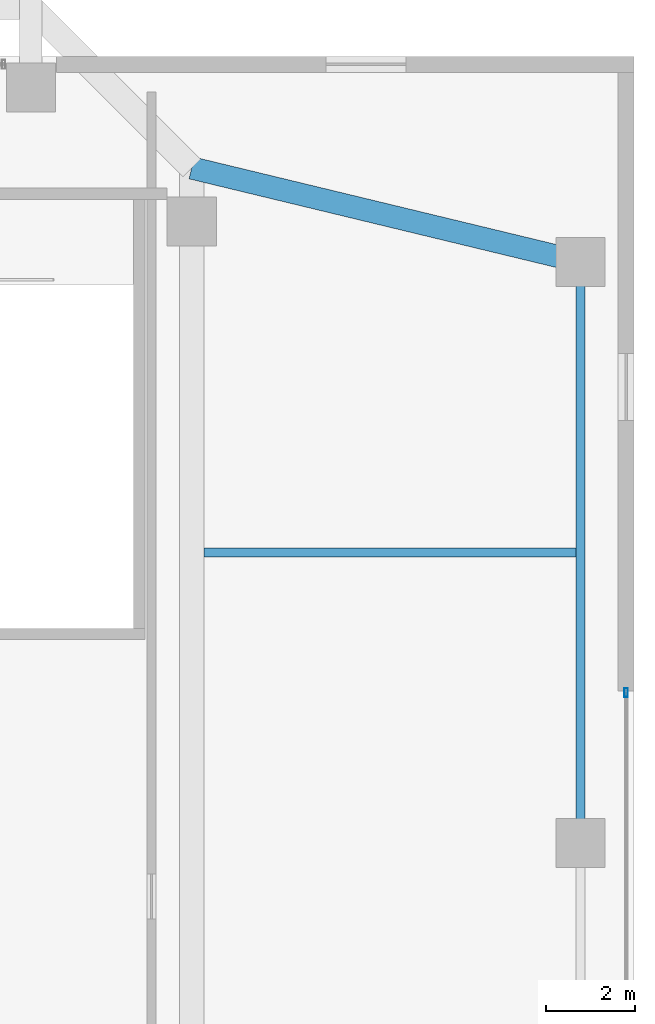
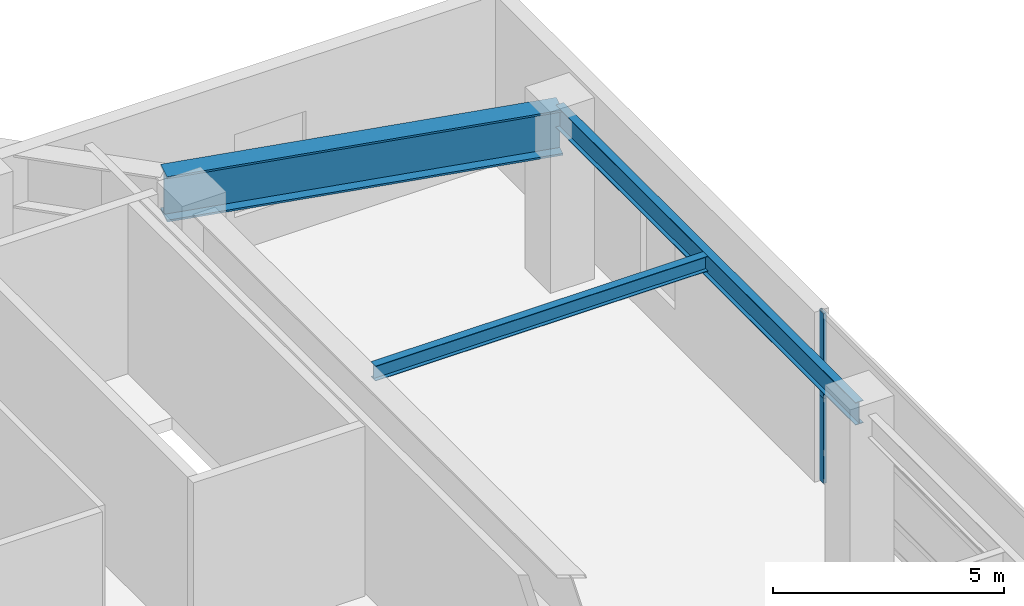
# One storey, part 27 of 34: 3 beams, 2 members, 1 element without a shape of its own.
"""IFC4 building model written with IfcOpenShell, lengths in metres."""

from ifc_helpers import new_model, si_unit, direction, frame, origin, origin_2d, place, context, subcontext, project, spatial, hollow_rectangle, i_section, extrude, source, transform, mapped, material, layer, layer_set, material_profile, profile_set, type_object, element, aggregate, save


model = new_model("IFC4")

# Units and contexts
model_context = context("Model", 3, precision=1e-05, world=origin(), true_north=direction((0.0, 1.0)))
body_context = subcontext(model_context, "Body", "Model", "MODEL_VIEW")
ifc_project = project(units=[si_unit("LENGTHUNIT", "METRE"), si_unit("AREAUNIT", "SQUARE_METRE"), si_unit("VOLUMEUNIT", "CUBIC_METRE"), si_unit("PLANEANGLEUNIT", "RADIAN"), si_unit("MASSUNIT", "GRAM", prefix="KILO"), si_unit("THERMODYNAMICTEMPERATUREUNIT", "KELVIN"), si_unit("POWERUNIT", "WATT")], contexts=[model_context])

# Site, building, storey
site_placement = place(None, origin())
site = spatial("IfcSite", under=ifc_project, at=site_placement, CompositionType="ELEMENT")
building_placement = place(site_placement, origin())
building = spatial("IfcBuilding", under=site, at=building_placement, Name="Yuzanri Waterfront Tower", CompositionType="ELEMENT")
storey_placement = place(building_placement, frame((0.0, 0.0, 25.800048828125)))
storey = spatial("IfcBuildingStorey", under=building, at=storey_placement, Name="L06", CompositionType="ELEMENT", Elevation=25.800048828125)

# Beams
ifc_material_1 = material(Name="Steel Q355B", Category="steel")
ifc_material_profile_1 = material_profile(ifc_material_1, i_section(OverallWidth=0.199951171875, OverallDepth=0.60009765625, WebThickness=0.010986328125, FlangeThickness=0.01708984375, at=origin_2d()), Name="HN 600x200x11x17")
ifc_profile_set_1 = profile_set([ifc_material_profile_1], Name="Steel Q355B")
beam_type_1 = type_object("IfcBeamType", Name="Perimeter Spandrel Q355B HN 600x200", PredefinedType="SPANDREL", material=ifc_profile_set_1)
shared_shape_1 = source(origin(), body_context, "Body", "SweptSolid", [
    extrude(i_section(OverallWidth=0.199951171875, OverallDepth=0.60009765625, WebThickness=0.010986328125, FlangeThickness=0.01708984375, at=origin_2d()), origin(), (0.0, 0.0, 1.0), 13.0),
])
beam_1_placement = place(storey_placement, frame((70.800048828125, 32.199951171875, 4.199951171875), z_axis=(0.0, 1.0, 0.0), x_axis=(-1.0, 0.0, 0.0)))
element("IfcBeam", 1, at=beam_1_placement, inside=storey, type_object=beam_type_1, Name="L06 East Podium Spandrel 3", PredefinedType="SPANDREL", context=body_context, shape_type="MappedRepresentation", body=[
    mapped(shared_shape_1, transform((0.0, 0.0, 0.0), scale=1.0)),
])
ifc_material_2 = material(Name="Steel Q420GJC", Category="steel")
ifc_material_profile_2 = material_profile(ifc_material_2, i_section(OverallWidth=0.5, OverallDepth=1.199951171875, WebThickness=0.028076171875, FlangeThickness=0.050048828125, at=origin_2d()), Name="PG 1200x500x28x50")
ifc_profile_set_2 = profile_set([ifc_material_profile_2], Name="Steel Q420GJC")
beam_type_2 = type_object("IfcBeamType", Name="Setback Transfer Girder Q420GJC PG 1200x500", PredefinedType="USERDEFINED", material=ifc_profile_set_2)
shared_shape_2 = source(origin(), body_context, "Body", "SweptSolid", [
    extrude(i_section(OverallWidth=0.5, OverallDepth=1.199951171875, WebThickness=0.028076171875, FlangeThickness=0.050048828125, at=origin_2d()), origin(), (0.0, 0.0, 1.0), 8.949951171875),
])
beam_2_placement = place(storey_placement, frame((62.10009765625, 47.300048828125, 3.89990234375), z_axis=(0.972079419326, -0.234652088257, 0.0), x_axis=(0.234652088257, 0.972079419326, 0.0)))
element("IfcBeam", 2, at=beam_2_placement, inside=storey, type_object=beam_type_2, Name="L06 Tower Base Tie E3", ObjectType="GIRDER", PredefinedType="USERDEFINED", context=body_context, shape_type="MappedRepresentation", body=[
    mapped(shared_shape_2, transform((0.0, 0.0, 0.0), scale=1.0)),
])
ifc_material_3 = material(Name="Steel Q355B", Category="steel")
ifc_material_profile_3 = material_profile(ifc_material_3, i_section(OverallWidth=0.199951171875, OverallDepth=0.39990234375, WebThickness=0.008056640625, FlangeThickness=0.012939453125, at=origin_2d()), Name="HN 400x200x8x13")
ifc_profile_set_3 = profile_set([ifc_material_profile_3], Name="Steel Q355B")
beam_type_3 = type_object("IfcBeamType", Name="Floor Joist Q355B HN 400x200", PredefinedType="JOIST", material=ifc_profile_set_3)
shared_shape_3 = source(origin(), body_context, "Body", "SweptSolid", [
    extrude(i_section(OverallWidth=0.199951171875, OverallDepth=0.39990234375, WebThickness=0.008056640625, FlangeThickness=0.012939453125, at=origin_2d()), origin(), (0.0, 0.0, 1.0), 8.320068359375),
])
beam_3_placement = place(storey_placement, frame((62.3798828125, 38.699951171875, 4.300048828125), z_axis=(1.0, 0.0, 0.0), x_axis=(0.0, 1.0, 0.0)))
element("IfcBeam", 3, at=beam_3_placement, inside=storey, type_object=beam_type_3, Name="L06 East Podium Roof Joist 3", PredefinedType="JOIST", context=body_context, shape_type="MappedRepresentation", body=[
    mapped(shared_shape_3, transform((0.0, 0.0, 0.0), scale=1.0)),
])

# Curtain wall, members
ifc_material_4 = material(Name="Anodized Architectural Bronze", Category="metal")
ifc_layer = layer(ifc_material_4, 0.159912109375)
ifc_layer_set = layer_set([ifc_layer], Name="Anodized Architectural Bronze")
curtain_wall_type = type_object("IfcCurtainWallType", Name="Anodized Bronze Podium Waterfront Double-Height Unitized Curtain Wall 8400", PredefinedType="NOTDEFINED", material=ifc_layer_set)
curtain_wall_placement = place(storey_placement, origin())
curtain_wall = element("IfcCurtainWall", 4, at=curtain_wall_placement, inside=storey, type_object=curtain_wall_type, Name="L06 Curtain Wall CW-L06-E", PredefinedType="NOTDEFINED")
ifc_material_5 = material(Name="Anodized Architectural Bronze", Category="metal")
ifc_material_profile_4 = material_profile(ifc_material_5, hollow_rectangle(XDim=0.074951171875, YDim=0.199951171875, WallThickness=0.00390625, at=origin_2d()), Name="CWM 75x200")
ifc_profile_set_4 = profile_set([ifc_material_profile_4], Name="Anodized Architectural Bronze")
member_type = type_object("IfcMemberType", Name="Anodized Bronze Primary Curtain-Wall Mullion 75x200", PredefinedType="MULLION", material=ifc_profile_set_4)
shared_shape_4 = source(origin(), body_context, "Body", "SweptSolid", [
    extrude(hollow_rectangle(XDim=0.074951171875, YDim=0.199951171875, WallThickness=0.00390625, at=origin_2d()), origin(), (0.0, 0.0, 1.0), 2.248046875),
])
member_1_placement = place(storey_placement, frame((71.820068359375, 35.56005859375, 0.0), z_axis=(0.0, 0.0, 1.0), x_axis=(1.0, 0.0, 0.0)))
member_1 = element("IfcMember", 5, at=member_1_placement, type_object=member_type, Name="CW-L06-E Lower Mullion 02", PredefinedType="MULLION", context=body_context, shape_type="MappedRepresentation", body=[
    mapped(shared_shape_4, transform((0.0, 0.0, 0.0), scale=1.0)),
])
member_2_placement = place(storey_placement, frame((71.820068359375, 35.56005859375, 2.251953125), z_axis=(0.0, 0.0, 1.0), x_axis=(1.0, 0.0, 0.0)))
member_2 = element("IfcMember", 6, at=member_2_placement, type_object=member_type, Name="CW-L06-E Upper Mullion 02", PredefinedType="MULLION", context=body_context, shape_type="MappedRepresentation", body=[
    mapped(shared_shape_4, transform((0.0, 0.0, 0.0), scale=1.0)),
])
aggregate(curtain_wall, [member_1, member_2])

save(model, "model.ifc")
